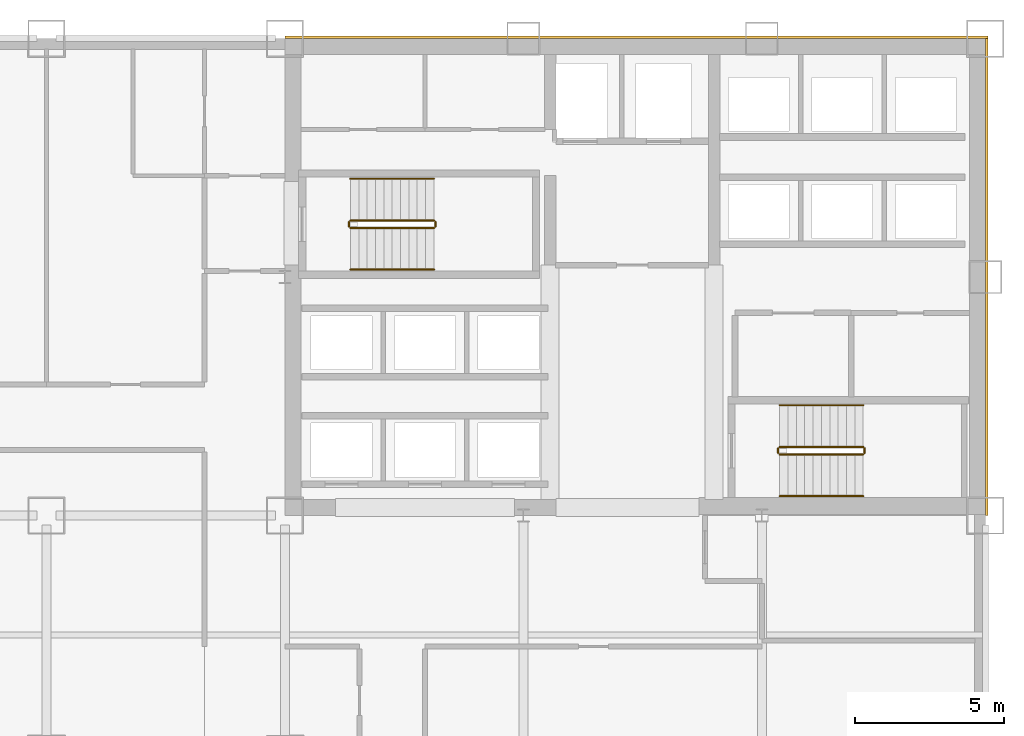
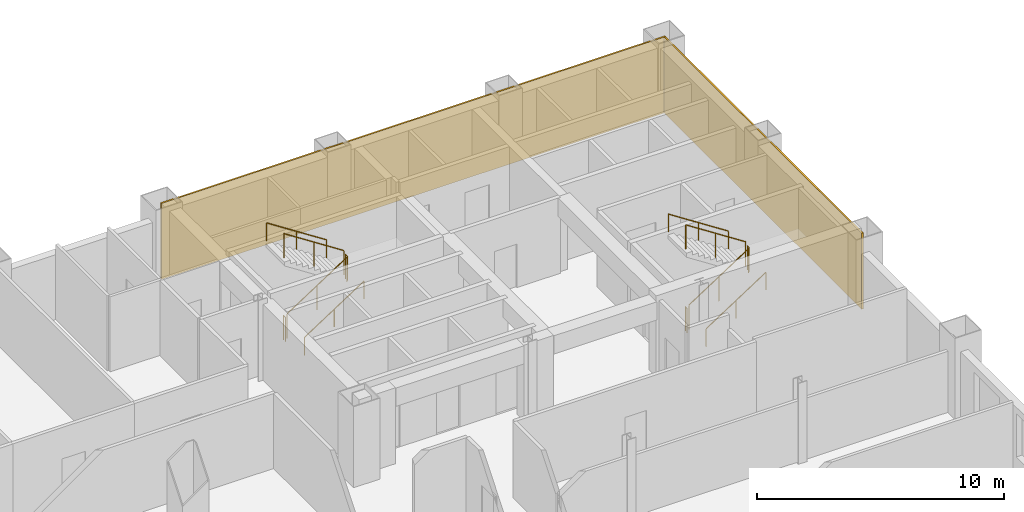
# One storey, part 9 of 9: 12 railings, 2 coverings.
"""IFC4 building model written with IfcOpenShell, lengths in metres."""

import ifcopenshell
import ifcopenshell.guid

model = None  # the IFC model being written
_history = None  # IfcOwnerHistory: only IFC2X3 demands one
_inside = {}  # id of a spatial element -> (the spatial element, [elements in it])
_under = {}  # id of a project, library or spatial element -> (it, [spatial elements below it])
_declared = {}  # id of a project -> (the project, [libraries it declares])
_typed = {}  # id of a type object -> (the type object, [elements of that type])
_made_of = {}  # id of a material, layer set ... -> (it, [elements and type objects made of it])


def new_model(schema):
    """Start an empty IFC model of exactly this schema.

    Asked for "IFC4X3", IfcOpenShell would pick the latest addendum, in which some entities
    have other attributes; the version numbers below select the first issue.
    IFC2X3 requires an IfcOwnerHistory on every rooted entity: one is made here for all.
    """
    global model, _history
    if schema == "IFC4X3":
        model = ifcopenshell.file(schema_version=(4, 3, 0, 0))
    else:
        model = ifcopenshell.file(schema=schema)
    _inside.clear()
    _under.clear()
    _declared.clear()
    _typed.clear()
    _made_of.clear()
    _history = None
    if model.schema == "IFC2X3":
        org = make("IfcOrganization", Name="unknown")
        user = make(
            "IfcPersonAndOrganization",
            ThePerson=make("IfcPerson", FamilyName="unknown"),
            TheOrganization=org,
        )
        app = make(
            "IfcApplication",
            ApplicationDeveloper=org,
            Version="unknown",
            ApplicationFullName="unknown",
            ApplicationIdentifier="unknown",
        )
        _history = make(
            "IfcOwnerHistory",
            OwningUser=user,
            OwningApplication=app,
            ChangeAction="ADDED",
            CreationDate=0,
        )
    return model


def make(cls, **values):
    """One entity of the class cls with the attributes given. An attribute that is None is left unset."""
    return model.create_entity(
        cls, **{name: value for name, value in values.items() if value is not None}
    )


def rooted(cls, **values):
    """An entity with a GlobalId (a new one), such as an element, a storey or a relation."""
    return make(cls, GlobalId=ifcopenshell.guid.new(), OwnerHistory=_history, **values)


def si_unit(unit_type, name, prefix=None):
    """IfcSIUnit, for example si_unit("LENGTHUNIT", "METRE", prefix="MILLI")."""
    return make("IfcSIUnit", UnitType=unit_type, Prefix=prefix, Name=name)


def assignment(units):
    """IfcUnitAssignment: the units of a project."""
    return None if units is None else make("IfcUnitAssignment", Units=units)


def point(xyz):
    """IfcCartesianPoint."""
    return None if xyz is None else make("IfcCartesianPoint", Coordinates=xyz)


def direction(xyz):
    """IfcDirection."""
    return None if xyz is None else make("IfcDirection", DirectionRatios=xyz)


def frame(location, z_axis=None, x_axis=None):
    """IfcAxis2Placement3D, a coordinate frame: its origin and axes. An axis left out is left unset."""
    return make(
        "IfcAxis2Placement3D",
        Location=point(location),
        Axis=direction(z_axis),
        RefDirection=direction(x_axis),
    )


def frame_2d(location, x_axis=None):
    """IfcAxis2Placement2D, a coordinate frame in the plane: its origin and x axis."""
    return make(
        "IfcAxis2Placement2D", Location=point(location), RefDirection=direction(x_axis)
    )


def origin():
    """The frame at (0, 0, 0) with its axes left unset."""
    return frame((0.0, 0.0, 0.0))


def origin_2d():
    """The frame at (0, 0) in the plane with its x axis left unset."""
    return frame_2d((0.0, 0.0))


def place(relative_to, where):
    """IfcLocalPlacement: puts the frame where relative to a parent placement (None: the world)."""
    return make(
        "IfcLocalPlacement", PlacementRelTo=relative_to, RelativePlacement=where
    )


def context(
    kind, dimensions, precision=None, world=None, true_north=None, identifier=None
):
    """IfcGeometricRepresentationContext, for example the 3D "Model" context."""
    return make(
        "IfcGeometricRepresentationContext",
        ContextIdentifier=identifier,
        ContextType=kind,
        CoordinateSpaceDimension=dimensions,
        Precision=precision,
        WorldCoordinateSystem=world,
        TrueNorth=true_north,
    )


def subcontext(parent, identifier, kind, view, scale=None):
    """IfcGeometricRepresentationSubContext, for example "Body" below "Model"."""
    return make(
        "IfcGeometricRepresentationSubContext",
        ContextIdentifier=identifier,
        ContextType=kind,
        ParentContext=parent,
        TargetScale=scale,
        TargetView=view,
    )


def project(units=None, contexts=None):
    """IfcProject with its units and contexts."""
    return rooted(
        "IfcProject",
        Name="project",
        RepresentationContexts=contexts,
        UnitsInContext=assignment(units),
    )


def spatial(cls, under=None, at=None, **own):
    """A site, building, storey or space (cls), placed at a placement, below another one or the project."""
    s = rooted(cls, ObjectPlacement=at, **own)
    if under is not None:
        _under.setdefault(under.id(), (under, []))[1].append(s)
    return s


def profile(cls, at=None, kind="AREA", **sizes):
    """A parametric profile (cls). Its sizes go by their IFC names, for example OverallWidth=200.0."""
    return make(cls, ProfileType=kind, Position=at, **sizes)


def rectangle(**sizes):
    """IfcRectangleProfileDef."""
    return profile("IfcRectangleProfileDef", **sizes)


def circle(**sizes):
    """IfcCircleProfileDef."""
    return profile("IfcCircleProfileDef", **sizes)


def extrude(swept, where, along, depth):
    """IfcExtrudedAreaSolid: the profile swept, set in the frame where, extruded along a direction by depth."""
    return make(
        "IfcExtrudedAreaSolid",
        SweptArea=swept,
        Position=where,
        ExtrudedDirection=direction(along),
        Depth=depth,
    )


def shape(context_of_items, identifier, shape_type, items):
    """IfcShapeRepresentation: the items that make up one representation, for example the "Body"."""
    return make(
        "IfcShapeRepresentation",
        ContextOfItems=context_of_items,
        RepresentationIdentifier=identifier,
        RepresentationType=shape_type,
        Items=items,
    )


def material(Name=None, Category=None):
    """IfcMaterial."""
    return make("IfcMaterial", Name=Name, Category=Category)


def layer(
    of_material, thickness, ventilated=None, Name=None, Category=None, Priority=None
):
    """IfcMaterialLayer: one layer of a wall or slab, of a material (None: an air gap)."""
    return make(
        "IfcMaterialLayer",
        Material=of_material,
        LayerThickness=thickness,
        IsVentilated=ventilated,
        Name=Name,
        Category=Category,
        Priority=Priority,
    )


def layer_set(layers, Name=None):
    """IfcMaterialLayerSet."""
    return make("IfcMaterialLayerSet", MaterialLayers=layers, LayerSetName=Name)


def made_of(thing, what):
    """Note that an element or type object is made of a material, layer set ...; save() writes the relation."""
    if what is not None:
        _made_of.setdefault(what.id(), (what, []))[1].append(thing)
    return thing


def type_object(cls, material=None, **own):
    """A type object (cls), such as IfcWallType, which elements share."""
    return made_of(rooted(cls, **own), material)


def element(
    cls,
    number,
    at=None,
    inside=None,
    cuts=None,
    type_object=None,
    material=None,
    context=None,
    identifier="Body",
    shape_type=None,
    held_by="IfcProductDefinitionShape",
    body=None,
    shapes=None,
    **own,
):
    """One element of the class cls, such as IfcWall. Its Tag is "e" and its number.

    at: its placement. inside: the storey or other place that contains it. cuts: it is an
    opening in that element (IfcRelVoidsElement). A single representation is given by context,
    identifier, shape_type and body (its items); several are given by shapes. held_by: the class
    of the entity that holds the representations. save() writes the other relations.
    """
    e = rooted(cls, Tag="e%d" % number, ObjectPlacement=at, **own)
    if body is not None:
        shapes = [shape(context, identifier, shape_type, body)]
    if shapes is not None:
        e.Representation = make(held_by, Representations=shapes)
    if inside is not None:
        _inside.setdefault(inside.id(), (inside, []))[1].append(e)
    if cuts is not None:
        rooted(
            "IfcRelVoidsElement", RelatingBuildingElement=cuts, RelatedOpeningElement=e
        )
    if type_object is not None:
        _typed.setdefault(type_object.id(), (type_object, []))[1].append(e)
    return made_of(e, material)


def aggregate(whole, parts):
    """IfcRelAggregates: a whole, such as a stair, and the parts it consists of."""
    return rooted("IfcRelAggregates", RelatingObject=whole, RelatedObjects=parts)


def save(model, path):
    """Write the relations noted so far, then the file.

    IfcRelAggregates (storeys below a building ...), IfcRelContainedInSpatialStructure (elements
    in a storey), IfcRelDefinesByType, IfcRelAssociatesMaterial and IfcRelDeclares: one each for
    every whole, place, type object, material and project.
    """
    for whole, parts in _under.values():
        aggregate(whole, parts)
    for where, things in _inside.values():
        rooted(
            "IfcRelContainedInSpatialStructure",
            RelatedElements=things,
            RelatingStructure=where,
        )
    for kind, things in _typed.values():
        rooted("IfcRelDefinesByType", RelatedObjects=things, RelatingType=kind)
    for what, things in _made_of.values():
        rooted("IfcRelAssociatesMaterial", RelatedObjects=things, RelatingMaterial=what)
    for by, libraries in _declared.values():
        rooted("IfcRelDeclares", RelatingContext=by, RelatedDefinitions=libraries)
    model.write(path)


model = new_model("IFC4")

# Units and contexts
model_context = context("Model", 3, precision=1e-05, world=origin(), true_north=direction((0.0, 1.0)))
body_context = subcontext(model_context, "Body", "Model", "MODEL_VIEW")
ifc_project = project(units=[si_unit("LENGTHUNIT", "METRE"), si_unit("AREAUNIT", "SQUARE_METRE"), si_unit("VOLUMEUNIT", "CUBIC_METRE"), si_unit("PLANEANGLEUNIT", "RADIAN"), si_unit("MASSUNIT", "GRAM", prefix="KILO")], contexts=[model_context])

# Site, building, storey
site_placement = place(None, origin())
site = spatial("IfcSite", under=ifc_project, at=site_placement, CompositionType="ELEMENT")
building_placement = place(site_placement, origin())
building = spatial("IfcBuilding", under=site, at=building_placement, Name="Qianrong Seaharbour Tower", CompositionType="ELEMENT")
storey_placement = place(building_placement, frame((0.0, 0.0, 36.199951171875)))
storey = spatial("IfcBuildingStorey", under=building, at=storey_placement, Name="L08", CompositionType="ELEMENT", Elevation=36.199951171875)

# Coverings
ifc_material_1 = material(Name="Unitised red brick cladding on Precast concrete C45/55", Category="masonry")
ifc_layer = layer(ifc_material_1, 0.080078125)
ifc_layer_set = layer_set([ifc_layer], Name="Unitised red brick cladding on Precast concrete C45/55")
covering_type = type_object("IfcCoveringType", Name="COV-CLAD-RED-BRICK-80", PredefinedType="CLADDING", material=ifc_layer_set)
covering_1_placement = place(storey_placement, frame((52.2900390625, 52.0400390625, 0.0), z_axis=(0.0, 0.0, 1.0), x_axis=(1.0, 0.0, 0.0)))
element("IfcCovering", 1, at=covering_1_placement, inside=storey, type_object=covering_type, Name="L08 North Core Brick Veneer Cladding", PredefinedType="CLADDING", context=body_context, shape_type="SweptSolid", body=[
    extrude(rectangle(XDim=23.580078125, YDim=0.080078125, at=origin_2d()), origin(), (0.0, 0.0, 1.0), 3.75),
])
covering_2_placement = place(storey_placement, frame((64.0400390625, 44.0, 0.0), z_axis=(0.0, 0.0, 1.0), x_axis=(1.0, 0.0, 0.0)))
element("IfcCovering", 2, at=covering_2_placement, inside=storey, type_object=covering_type, Name="L08 East Core Brick Veneer Cladding", PredefinedType="CLADDING", context=body_context, shape_type="SweptSolid", body=[
    extrude(rectangle(XDim=0.080078125, YDim=16.0, at=origin_2d()), origin(), (0.0, 0.0, 1.0), 3.75),
])

# Railings
ifc_material_2 = material(Name="Galvanized painted steel SN400B stair guard", Category="steel")
railing_type_1 = type_object("IfcRailingType", Name="RAIL-STAIR-GUARD-1220", PredefinedType="GUARDRAIL", material=ifc_material_2)
railing_1_placement = place(storey_placement, frame((42.699951171875, 45.64990234375, 0.181884765625)))
element("IfcRailing", 3, at=railing_1_placement, inside=storey, type_object=railing_type_1, Name="L08 ST-1 stair guard 1", PredefinedType="GUARDRAIL", context=body_context, shape_type="SweptSolid", body=[
    extrude(circle(Radius=0.02392578125, at=origin_2d()), frame((0.0, 0.0, 1.19580078125), z_axis=(0.838705829183, 0.0, 0.544584733623), x_axis=(0.0, 1.0, 0.0)), (0.0, 0.0, 1.0), 3.338623046875),
    extrude(circle(Radius=0.02099609375, at=origin_2d()), origin(), (0.0, 0.0, 1.0), 1.171875),
    extrude(circle(Radius=0.02099609375, at=origin_2d()), frame((1.39990234375, 0.0, 0.9091796875)), (0.0, 0.0, 1.0), 1.171875),
    extrude(circle(Radius=0.02099609375, at=origin_2d()), frame((2.800048828125, 0.0, 1.818115234375)), (0.0, 0.0, 1.0), 1.171875),
])
railing_2_placement = place(storey_placement, frame((45.550048828125, 45.699951171875, 2.0)))
element("IfcRailing", 4, at=railing_2_placement, inside=storey, type_object=railing_type_1, Name="L08 ST-1 stair guard 2", PredefinedType="GUARDRAIL", context=body_context, shape_type="SweptSolid", body=[
    extrude(circle(Radius=0.02392578125, at=origin_2d()), frame((0.0, 0.0, 1.19580078125), z_axis=(0.0, 1.0, 0.0), x_axis=(-1.0, 0.0, 0.0)), (0.0, 0.0, 1.0), 0.150146484375),
    extrude(circle(Radius=0.02099609375, at=origin_2d()), origin(), (0.0, 0.0, 1.0), 1.171875),
    extrude(circle(Radius=0.02099609375, at=origin_2d()), frame((0.0, 0.150146484375, 0.0)), (0.0, 0.0, 1.0), 1.171875),
])
railing_3_placement = place(storey_placement, frame((45.5, 45.89990234375, 2.181884765625)))
element("IfcRailing", 5, at=railing_3_placement, inside=storey, type_object=railing_type_1, Name="L08 ST-1 stair guard 3", PredefinedType="GUARDRAIL", context=body_context, shape_type="SweptSolid", body=[
    extrude(circle(Radius=0.02392578125, at=origin_2d()), frame((0.0, 0.0, 1.19580078125), z_axis=(-0.838705829183, 0.0, 0.544584733623), x_axis=(0.0, -1.0, 0.0)), (0.0, 0.0, 1.0), 3.338623046875),
    extrude(circle(Radius=0.02099609375, at=origin_2d()), origin(), (0.0, 0.0, 1.0), 1.171875),
    extrude(circle(Radius=0.02099609375, at=origin_2d()), frame((-1.39990234375, 0.0, 0.9091796875)), (0.0, 0.0, 1.0), 1.171875),
    extrude(circle(Radius=0.02099609375, at=origin_2d()), frame((-2.800048828125, 0.0, 1.818115234375)), (0.0, 0.0, 1.0), 1.171875),
])
railing_4_placement = place(storey_placement, frame((42.64990234375, 45.699951171875, 0.0)))
element("IfcRailing", 6, at=railing_4_placement, inside=storey, type_object=railing_type_1, Name="L08 ST-1 stair guard 4", PredefinedType="GUARDRAIL", context=body_context, shape_type="SweptSolid", body=[
    extrude(circle(Radius=0.02392578125, at=origin_2d()), frame((0.0, 0.0, 1.19580078125), z_axis=(0.0, 1.0, 0.0), x_axis=(-1.0, 0.0, 0.0)), (0.0, 0.0, 1.0), 0.150146484375),
    extrude(circle(Radius=0.02099609375, at=origin_2d()), origin(), (0.0, 0.0, 1.0), 1.171875),
    extrude(circle(Radius=0.02099609375, at=origin_2d()), frame((0.0, 0.150146484375, 0.0)), (0.0, 0.0, 1.0), 1.171875),
])
railing_5_placement = place(storey_placement, frame((57.10009765625, 38.050048828125, 0.181884765625)))
element("IfcRailing", 7, at=railing_5_placement, inside=storey, type_object=railing_type_1, Name="L08 ST-2 stair guard 1", PredefinedType="GUARDRAIL", context=body_context, shape_type="SweptSolid", body=[
    extrude(circle(Radius=0.02392578125, at=origin_2d()), frame((0.0, 0.0, 1.19580078125), z_axis=(0.83868413941, 0.0, 0.544618136222), x_axis=(0.0, 1.0, 0.0)), (0.0, 0.0, 1.0), 3.33837890625),
    extrude(circle(Radius=0.02099609375, at=origin_2d()), origin(), (0.0, 0.0, 1.0), 1.171875),
    extrude(circle(Radius=0.02099609375, at=origin_2d()), frame((1.39990234375, 0.0, 0.9091796875)), (0.0, 0.0, 1.0), 1.171875),
    extrude(circle(Radius=0.02099609375, at=origin_2d()), frame((2.7998046875, 0.0, 1.818115234375)), (0.0, 0.0, 1.0), 1.171875),
])
railing_6_placement = place(storey_placement, frame((59.949951171875, 38.10009765625, 2.0)))
element("IfcRailing", 8, at=railing_6_placement, inside=storey, type_object=railing_type_1, Name="L08 ST-2 stair guard 2", PredefinedType="GUARDRAIL", context=body_context, shape_type="SweptSolid", body=[
    extrude(circle(Radius=0.02392578125, at=origin_2d()), frame((0.0, 0.0, 1.19580078125), z_axis=(0.0, 1.0, 0.0), x_axis=(-1.0, 0.0, 0.0)), (0.0, 0.0, 1.0), 0.14990234375),
    extrude(circle(Radius=0.02099609375, at=origin_2d()), origin(), (0.0, 0.0, 1.0), 1.171875),
    extrude(circle(Radius=0.02099609375, at=origin_2d()), frame((0.0, 0.14990234375, 0.0)), (0.0, 0.0, 1.0), 1.171875),
])
railing_7_placement = place(storey_placement, frame((59.89990234375, 38.300048828125, 2.181884765625)))
element("IfcRailing", 9, at=railing_7_placement, inside=storey, type_object=railing_type_1, Name="L08 ST-2 stair guard 3", PredefinedType="GUARDRAIL", context=body_context, shape_type="SweptSolid", body=[
    extrude(circle(Radius=0.02392578125, at=origin_2d()), frame((0.0, 0.0, 1.19580078125), z_axis=(-0.83868413941, 0.0, 0.544618136222), x_axis=(0.0, -1.0, 0.0)), (0.0, 0.0, 1.0), 3.33837890625),
    extrude(circle(Radius=0.02099609375, at=origin_2d()), origin(), (0.0, 0.0, 1.0), 1.171875),
    extrude(circle(Radius=0.02099609375, at=origin_2d()), frame((-1.39990234375, 0.0, 0.9091796875)), (0.0, 0.0, 1.0), 1.171875),
    extrude(circle(Radius=0.02099609375, at=origin_2d()), frame((-2.7998046875, 0.0, 1.818115234375)), (0.0, 0.0, 1.0), 1.171875),
])
railing_8_placement = place(storey_placement, frame((57.050048828125, 38.10009765625, 0.0)))
element("IfcRailing", 10, at=railing_8_placement, inside=storey, type_object=railing_type_1, Name="L08 ST-2 stair guard 4", PredefinedType="GUARDRAIL", context=body_context, shape_type="SweptSolid", body=[
    extrude(circle(Radius=0.02392578125, at=origin_2d()), frame((0.0, 0.0, 1.19580078125), z_axis=(0.0, 1.0, 0.0), x_axis=(-1.0, 0.0, 0.0)), (0.0, 0.0, 1.0), 0.14990234375),
    extrude(circle(Radius=0.02099609375, at=origin_2d()), origin(), (0.0, 0.0, 1.0), 1.171875),
    extrude(circle(Radius=0.02099609375, at=origin_2d()), frame((0.0, 0.14990234375, 0.0)), (0.0, 0.0, 1.0), 1.171875),
])
ifc_material_3 = material(Name="Stainless steel SUS316L continuous handrail", Category="steel")
railing_type_2 = type_object("IfcRailingType", Name="RAIL-STAIR-HANDRAIL-900", PredefinedType="HANDRAIL", material=ifc_material_3)
railing_9_placement = place(storey_placement, frame((42.699951171875, 44.25, 0.181884765625)))
element("IfcRailing", 11, at=railing_9_placement, inside=storey, type_object=railing_type_2, Name="L08 ST-1 stair handrail 1", PredefinedType="HANDRAIL", context=body_context, shape_type="SweptSolid", body=[
    extrude(circle(Radius=0.02392578125, at=origin_2d()), frame((0.0, 0.0, 0.8759765625), z_axis=(0.838705829183, 0.0, 0.544584733623), x_axis=(0.0, 1.0, 0.0)), (0.0, 0.0, 1.0), 3.338623046875),
    extrude(circle(Radius=0.02099609375, at=origin_2d()), origin(), (0.0, 0.0, 1.0), 0.851806640625),
    extrude(circle(Radius=0.02099609375, at=origin_2d()), frame((1.39990234375, 0.0, 0.9091796875)), (0.0, 0.0, 1.0), 0.851806640625),
    extrude(circle(Radius=0.02099609375, at=origin_2d()), frame((2.800048828125, 0.0, 1.818115234375)), (0.0, 0.0, 1.0), 0.851806640625),
])
railing_10_placement = place(storey_placement, frame((45.5, 47.300048828125, 2.181884765625)))
element("IfcRailing", 12, at=railing_10_placement, inside=storey, type_object=railing_type_2, Name="L08 ST-1 stair handrail 2", PredefinedType="HANDRAIL", context=body_context, shape_type="SweptSolid", body=[
    extrude(circle(Radius=0.02392578125, at=origin_2d()), frame((0.0, 0.0, 0.8759765625), z_axis=(-0.838705829183, 0.0, 0.544584733623), x_axis=(0.0, -1.0, 0.0)), (0.0, 0.0, 1.0), 3.338623046875),
    extrude(circle(Radius=0.02099609375, at=origin_2d()), origin(), (0.0, 0.0, 1.0), 0.851806640625),
    extrude(circle(Radius=0.02099609375, at=origin_2d()), frame((-1.39990234375, 0.0, 0.9091796875)), (0.0, 0.0, 1.0), 0.851806640625),
    extrude(circle(Radius=0.02099609375, at=origin_2d()), frame((-2.800048828125, 0.0, 1.818115234375)), (0.0, 0.0, 1.0), 0.851806640625),
])
railing_11_placement = place(storey_placement, frame((57.10009765625, 36.64990234375, 0.181884765625)))
element("IfcRailing", 13, at=railing_11_placement, inside=storey, type_object=railing_type_2, Name="L08 ST-2 stair handrail 1", PredefinedType="HANDRAIL", context=body_context, shape_type="SweptSolid", body=[
    extrude(circle(Radius=0.02392578125, at=origin_2d()), frame((0.0, 0.0, 0.8759765625), z_axis=(0.83868413941, 0.0, 0.544618136222), x_axis=(0.0, 1.0, 0.0)), (0.0, 0.0, 1.0), 3.33837890625),
    extrude(circle(Radius=0.02099609375, at=origin_2d()), origin(), (0.0, 0.0, 1.0), 0.851806640625),
    extrude(circle(Radius=0.02099609375, at=origin_2d()), frame((1.39990234375, 0.0, 0.9091796875)), (0.0, 0.0, 1.0), 0.851806640625),
    extrude(circle(Radius=0.02099609375, at=origin_2d()), frame((2.7998046875, 0.0, 1.818115234375)), (0.0, 0.0, 1.0), 0.851806640625),
])
railing_12_placement = place(storey_placement, frame((59.89990234375, 39.699951171875, 2.181884765625)))
element("IfcRailing", 14, at=railing_12_placement, inside=storey, type_object=railing_type_2, Name="L08 ST-2 stair handrail 2", PredefinedType="HANDRAIL", context=body_context, shape_type="SweptSolid", body=[
    extrude(circle(Radius=0.02392578125, at=origin_2d()), frame((0.0, 0.0, 0.8759765625), z_axis=(-0.83868413941, 0.0, 0.544618136222), x_axis=(0.0, -1.0, 0.0)), (0.0, 0.0, 1.0), 3.33837890625),
    extrude(circle(Radius=0.02099609375, at=origin_2d()), origin(), (0.0, 0.0, 1.0), 0.851806640625),
    extrude(circle(Radius=0.02099609375, at=origin_2d()), frame((-1.39990234375, 0.0, 0.9091796875)), (0.0, 0.0, 1.0), 0.851806640625),
    extrude(circle(Radius=0.02099609375, at=origin_2d()), frame((-2.7998046875, 0.0, 1.818115234375)), (0.0, 0.0, 1.0), 0.851806640625),
])

save(model, "model.ifc")
